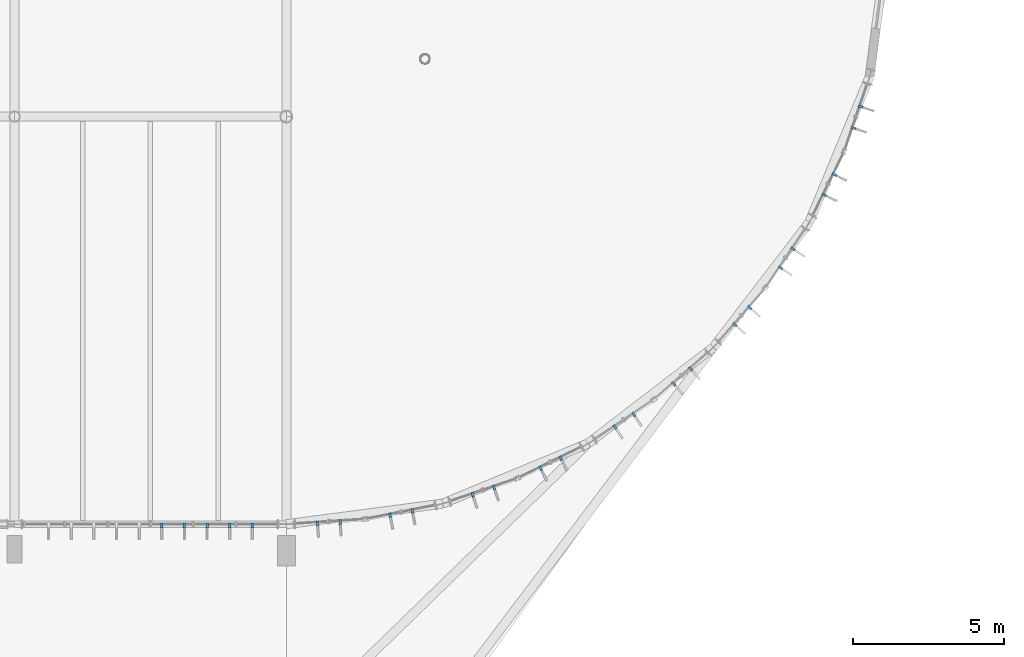
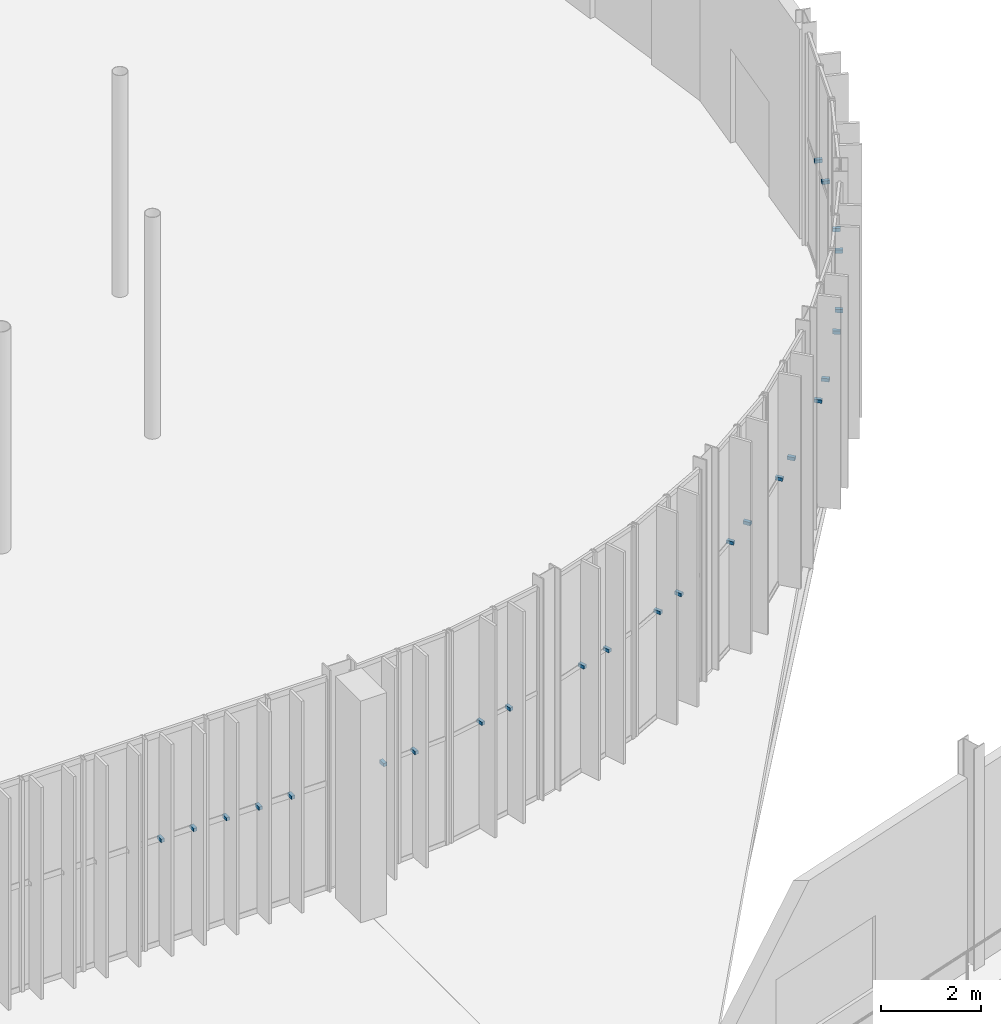
# One storey, part 136 of 158: 25 discrete accessories.
"""IFC4 building model written with IfcOpenShell, lengths in metres."""

from ifc_helpers import new_model, si_unit, derived_unit, direction, frame, origin, origin_2d, place, context, subcontext, project, spatial, rectangle, extrude, material, type_object, element, save


model = new_model("IFC4")

# Units and contexts
model_context = context("Model", 3, precision=1e-05, world=origin(), true_north=direction((0.0, 1.0)))
body_context = subcontext(model_context, "Body", "Model", "MODEL_VIEW")
ifc_project = project(units=[si_unit("LENGTHUNIT", "METRE"), si_unit("AREAUNIT", "SQUARE_METRE"), si_unit("VOLUMEUNIT", "CUBIC_METRE"), si_unit("PLANEANGLEUNIT", "RADIAN"), si_unit("MASSUNIT", "GRAM", prefix="KILO"), si_unit("THERMODYNAMICTEMPERATUREUNIT", "KELVIN"), si_unit("TIMEUNIT", "SECOND"), derived_unit("THERMALTRANSMITTANCEUNIT", [(si_unit("MASSUNIT", "GRAM", prefix="KILO"), 1), (si_unit("THERMODYNAMICTEMPERATUREUNIT", "KELVIN"), -1), (si_unit("TIMEUNIT", "SECOND"), -3)])], contexts=[model_context])

# Site, building, storey
site_placement = place(None, origin())
site = spatial("IfcSite", under=ifc_project, at=site_placement, CompositionType="ELEMENT")
building_placement = place(site_placement, origin())
building = spatial("IfcBuilding", under=site, at=building_placement, Name="Cambertide Market Hall", CompositionType="ELEMENT")
storey_placement = place(building_placement, origin())
storey = spatial("IfcBuildingStorey", under=building, at=storey_placement, Name="L01", CompositionType="ELEMENT", Elevation=0.0)

# Discrete accessories
ifc_material = material(Name="Stainless Steel Grade 316", Category="metal")
discrete_accessory_type = type_object("IfcDiscreteAccessoryType", Name="Stainless Fin Outrigger Tie Bracket", PredefinedType="BRACKET", material=ifc_material)
for number, where, z_axis, x_axis, name in (
    (1, (103.875, 51.9599609375, 2.5400390625), (0.0, 0.0, 1.0), (-1.0, 0.0, 0.0), "CW-V1S-L01-7 Fin Tie Bracket 1"),
    (2, (103.125, 51.9599609375, 2.5400390625), (0.0, 0.0, 1.0), (-1.0, 0.0, 0.0), "CW-V1S-L01-7 Fin Tie Bracket 2"),
    (3, (102.375, 51.9599609375, 2.5400390625), (0.0, 0.0, 1.0), (-1.0, 0.0, 0.0), "CW-V1S-L01-7 Fin Tie Bracket 3"),
    (4, (101.625, 51.9599609375, 2.5400390625), (0.0, 0.0, 1.0), (-1.0, 0.0, 0.0), "CW-V1S-L01-7 Fin Tie Bracket 4"),
    (5, (100.875, 51.9599609375, 2.5400390625), (0.0, 0.0, 1.0), (-1.0, 0.0, 0.0), "CW-V1S-L01-7 Fin Tie Bracket 5"),
    (6, (106.781982421875, 52.07666015625, 2.5400390625), (0.0, 0.0, 1.0), (-0.997858917819, -0.065403211921, 0.0), "CW-V1AE-L01-01 Fin Tie Bracket 1"),
    (7, (106.033447265625, 52.027587890625, 2.5400390625), (0.0, 0.0, 1.0), (-0.997858917819, -0.065403211921, 0.0), "CW-V1AE-L01-01 Fin Tie Bracket 2"),
    (8, (109.1708984375, 52.440673828125, 2.5400390625), (0.0, 0.0, 1.0), (-0.980785330885, -0.195090068226, 0.0), "CW-V1AE-L01-02 Fin Tie Bracket 1"),
    (9, (108.435302734375, 52.29443359375, 2.5400390625), (0.0, 0.0, 1.0), (-0.980785330885, -0.195090068226, 0.0), "CW-V1AE-L01-02 Fin Tie Bracket 2"),
    (10, (111.877685546875, 53.216796875, 2.5400390625), (0.0, 0.0, 1.0), (-0.94693012508, -0.32143947831, 0.0), "CW-V1AE-L01-03 Fin Tie Bracket 1"),
    (11, (111.16748046875, 52.9755859375, 2.5400390625), (0.0, 0.0, 1.0), (-0.94693012508, -0.32143947831, 0.0), "CW-V1AE-L01-03 Fin Tie Bracket 2"),
    (12, (114.091064453125, 54.186767578125, 2.5400390625), (0.0, 0.0, 1.0), (-0.896872650645, -0.442288874522, 0.0), "CW-V1AE-L01-04 Fin Tie Bracket 1"),
    (13, (113.41845703125, 53.85498046875, 2.5400390625), (0.0, 0.0, 1.0), (-0.896872650645, -0.442288874522, 0.0), "CW-V1AE-L01-04 Fin Tie Bracket 2"),
    (14, (116.5048828125, 55.636962890625, 2.5400390625), (0.0, 0.0, 1.0), (-0.831469709481, -0.555570087582, 0.0), "CW-V1AE-L01-05 Fin Tie Bracket 1"),
    (15, (115.881103515625, 55.22021484375, 2.5400390625), (0.0, 0.0, 1.0), (-0.831469709481, -0.555570087582, 0.0), "CW-V1AE-L01-05 Fin Tie Bracket 2"),
    (16, (118.391845703125, 57.146728515625, 2.5400390625), (0.0, 0.0, 1.0), (-0.751839834741, -0.659345784014, 0.0), "CW-V1AE-L01-06 Fin Tie Bracket 1"),
    (17, (117.827880859375, 56.652099609375, 2.5400390625), (0.0, 0.0, 1.0), (-0.751839834741, -0.659345784014, 0.0), "CW-V1AE-L01-06 Fin Tie Bracket 2"),
    (18, (120.347900390625, 59.172119140625, 2.5400390625), (0.0, 0.0, 1.0), (-0.659345784014, -0.751839834741, 0.0), "CW-V1AE-L01-07 Fin Tie Bracket 1"),
    (19, (119.853271484375, 58.608154296875, 2.5400390625), (0.0, 0.0, 1.0), (-0.659345784014, -0.751839834741, 0.0), "CW-V1AE-L01-07 Fin Tie Bracket 2"),
    (20, (121.77978515625, 61.118896484375, 2.5400390625), (0.0, 0.0, 1.0), (-0.555570087582, -0.831469709481, 0.0), "CW-V1AE-L01-08 Fin Tie Bracket 1"),
    (21, (121.363037109375, 60.4951171875, 2.5400390625), (0.0, 0.0, 1.0), (-0.555570087582, -0.831469709481, 0.0), "CW-V1AE-L01-08 Fin Tie Bracket 2"),
    (22, (123.14501953125, 63.58154296875, 2.5400390625), (0.0, 0.0, 1.0), (-0.442288874522, -0.896872650645, 0.0), "CW-V1AE-L01-09 Fin Tie Bracket 1"),
    (23, (122.813232421875, 62.908935546875, 2.5400390625), (0.0, 0.0, 1.0), (-0.442288874522, -0.896872650645, 0.0), "CW-V1AE-L01-09 Fin Tie Bracket 2"),
    (24, (124.0244140625, 65.83251953125, 2.5400390625), (0.0, 0.0, 1.0), (-0.32143947831, -0.94693012508, 0.0), "CW-V1AE-L01-10 Fin Tie Bracket 1"),
    (25, (123.783203125, 65.122314453125, 2.5400390625), (0.0, 0.0, 1.0), (-0.32143947831, -0.94693012508, 0.0), "CW-V1AE-L01-10 Fin Tie Bracket 2"),
):
    element("IfcDiscreteAccessory", number, at=place(storey_placement, frame(where, z_axis=z_axis, x_axis=x_axis)), inside=storey, type_object=discrete_accessory_type, Name=name, PredefinedType="BRACKET", context=body_context, shape_type="SweptSolid", body=[
        extrude(rectangle(XDim=0.080078125, YDim=0.159912109375, at=origin_2d()), origin(), (0.0, 0.0, 1.0), 0.080078125),
    ])

save(model, "model.ifc")
